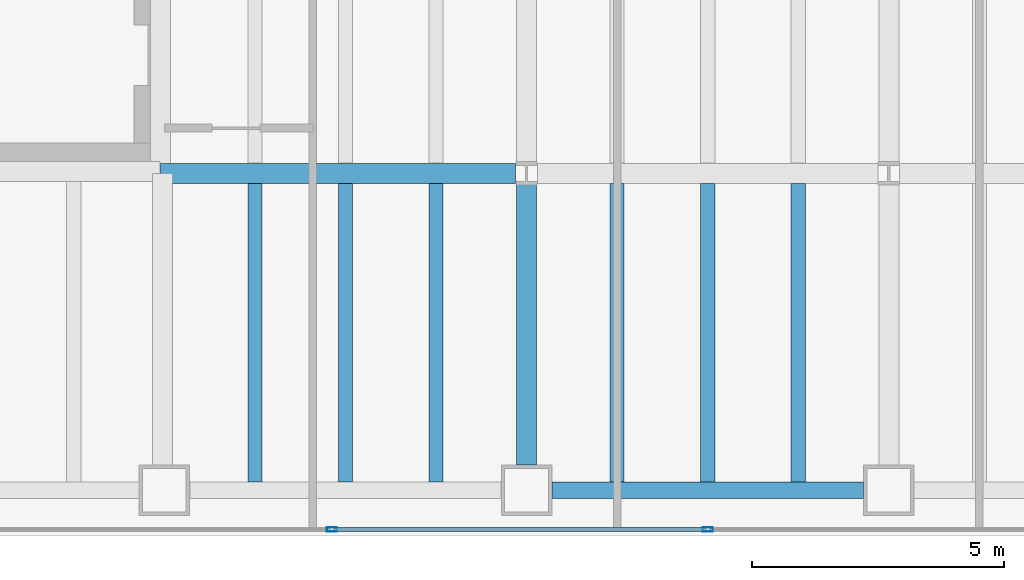
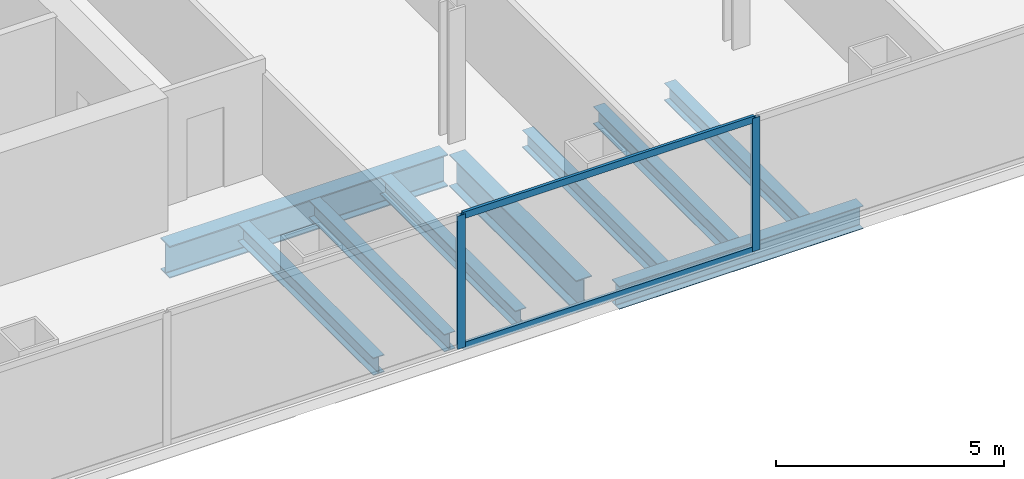
# One storey, part 4 of 23: 9 beams, 4 members, 1 element without a shape of its own.
"""IFC4 building model written with IfcOpenShell, lengths in metres."""

from ifc_helpers import new_model, si_unit, direction, frame, origin, origin_2d, place, context, subcontext, project, spatial, hollow_rectangle, i_section, extrude, material, material_profile, profile_set, type_object, element, aggregate, save


model = new_model("IFC4")

# Units and contexts
model_context = context("Model", 3, precision=1e-05, world=origin(), true_north=direction((0.0, 1.0)))
body_context = subcontext(model_context, "Body", "Model", "MODEL_VIEW")
ifc_project = project(units=[si_unit("LENGTHUNIT", "METRE"), si_unit("AREAUNIT", "SQUARE_METRE"), si_unit("VOLUMEUNIT", "CUBIC_METRE"), si_unit("PLANEANGLEUNIT", "RADIAN"), si_unit("MASSUNIT", "GRAM", prefix="KILO")], contexts=[model_context])

# Site, building, storey
site_placement = place(None, origin())
site = spatial("IfcSite", under=ifc_project, at=site_placement, CompositionType="ELEMENT")
building_placement = place(site_placement, origin())
building = spatial("IfcBuilding", under=site, at=building_placement, Name="Cobrela Telecom Tower", CompositionType="ELEMENT")
storey_placement = place(building_placement, frame((0.0, 0.0, 50.39990234375)))
storey = spatial("IfcBuildingStorey", under=building, at=storey_placement, Name="L12", CompositionType="ELEMENT", Elevation=50.39990234375)

# Beams
ifc_material_1 = material(Name="Steel ASTM A992 Grade 50", Category="steel")
ifc_material_profile_1 = material_profile(ifc_material_1, i_section(OverallWidth=0.39892578125, OverallDepth=0.85595703125, WebThickness=0.018310546875, FlangeThickness=0.029296875, FilletRadius=0.02001953125, at=origin_2d()), Name="W33X201")
ifc_profile_set_1 = profile_set([ifc_material_profile_1], Name="Steel ASTM A992 Grade 50")
beam_type_1 = type_object("IfcBeamType", Name="BM-GIRD-03", PredefinedType="USERDEFINED", material=ifc_profile_set_1)
beam_1_placement = place(storey_placement, frame((14.324951171875, 7.199951171875, -0.7080078125), z_axis=(1.0, 0.0, 0.0), x_axis=(0.0, 1.0, 0.0)))
element("IfcBeam", 1, at=beam_1_placement, inside=storey, type_object=beam_type_1, Name="L12 Primary Girder X08", ObjectType="GIRDER", PredefinedType="USERDEFINED", context=body_context, shape_type="SweptSolid", body=[
    extrude(i_section(OverallWidth=0.39892578125, OverallDepth=0.85595703125, WebThickness=0.018310546875, FlangeThickness=0.029296875, FilletRadius=0.02001953125, at=origin_2d()), origin(), (0.0, 0.0, 1.0), 7.05908203125),
])
beam_2_placement = place(storey_placement, frame((21.60009765625, 1.405029296875, -0.7080078125), z_axis=(0.0, 1.0, 0.0), x_axis=(-1.0, 0.0, 0.0)))
element("IfcBeam", 2, at=beam_2_placement, inside=storey, type_object=beam_type_1, Name="L12 Primary Girder Y40", ObjectType="GIRDER", PredefinedType="USERDEFINED", context=body_context, shape_type="SweptSolid", body=[
    extrude(i_section(OverallWidth=0.39892578125, OverallDepth=0.85595703125, WebThickness=0.018310546875, FlangeThickness=0.029296875, FilletRadius=0.02001953125, at=origin_2d()), origin(), (0.0, 0.0, 1.0), 5.578857421875),
])
ifc_material_profile_2 = material_profile(ifc_material_1, i_section(OverallWidth=0.281982421875, OverallDepth=0.467041015625, WebThickness=0.01220703125, FlangeThickness=0.01953125, FilletRadius=0.012939453125, at=origin_2d()), Name="W18X86")
ifc_profile_set_2 = profile_set([ifc_material_profile_2], Name="Steel ASTM A992 Grade 50")
beam_type_2 = type_object("IfcBeamType", Name="BM-JOIST-02", PredefinedType="JOIST", material=ifc_profile_set_2)
for number, where, z_axis, x_axis, name in (
    (3, (16.199951171875, 1.0673828125, -0.513427734375), (0.0, 1.0, 0.0), (-1.0, 0.0, 0.0), "L12 Secondary Composite Floor Beam J07"),
    (4, (18.0, 1.0673828125, -0.513427734375), (0.0, 1.0, 0.0), (-1.0, 0.0, 0.0), "L12 Secondary Composite Floor Beam J13"),
    (5, (19.800048828125, 1.0673828125, -0.513427734375), (0.0, 1.0, 0.0), (-1.0, 0.0, 0.0), "L12 Secondary Composite Floor Beam J19"),
    (6, (23.39990234375, 1.0673828125, -0.513427734375), (0.0, 1.0, 0.0), (-1.0, 0.0, 0.0), "L12 Secondary Composite Floor Beam J25"),
    (7, (25.199951171875, 1.0673828125, -0.513427734375), (0.0, 1.0, 0.0), (-1.0, 0.0, 0.0), "L12 Secondary Composite Floor Beam J31"),
    (8, (27.0, 1.0673828125, -0.513427734375), (0.0, 1.0, 0.0), (-1.0, 0.0, 0.0), "L12 Secondary Composite Floor Beam J36"),
):
    element("IfcBeam", number, at=place(storey_placement, frame(where, z_axis=z_axis, x_axis=x_axis)), inside=storey, type_object=beam_type_2, Name=name, PredefinedType="JOIST", context=body_context, shape_type="SweptSolid", body=[
        extrude(i_section(OverallWidth=0.281982421875, OverallDepth=0.467041015625, WebThickness=0.01220703125, FlangeThickness=0.01953125, FilletRadius=0.012939453125, at=origin_2d()), origin(), (0.0, 0.0, 1.0), 5.92822265625),
    ])
ifc_material_profile_3 = material_profile(ifc_material_1, i_section(OverallWidth=0.324951171875, OverallDepth=0.612060546875, WebThickness=0.0126953125, FlangeThickness=0.01904296875, FilletRadius=0.014892578125, at=origin_2d()), Name="W24X104")
ifc_profile_set_3 = profile_set([ifc_material_profile_3], Name="Steel ASTM A992 Grade 50")
beam_type_3 = type_object("IfcBeamType", Name="BM-SPAND-02", PredefinedType="SPANDREL", material=ifc_profile_set_3)
beam_3_placement = place(storey_placement, frame((22.10498046875, 0.89990234375, -0.5859375), z_axis=(1.0, 0.0, 0.0), x_axis=(0.0, 1.0, 0.0)))
element("IfcBeam", 9, at=beam_3_placement, inside=storey, type_object=beam_type_3, Name="L12 Perimeter Spandrel X03", PredefinedType="SPANDREL", context=body_context, shape_type="SweptSolid", body=[
    extrude(i_section(OverallWidth=0.324951171875, OverallDepth=0.612060546875, WebThickness=0.0126953125, FlangeThickness=0.01904296875, FilletRadius=0.014892578125, at=origin_2d()), origin(), (0.0, 0.0, 1.0), 6.18994140625),
])

# Curtain wall, members
ifc_material_2 = material(Name="Anodized Bronze Aluminium 6063-T6", Category="aluminium")
curtain_wall_type = type_object("IfcCurtainWallType", Name="CW-SYS-DATA", PredefinedType="USERDEFINED", material=ifc_material_2)
curtain_wall_placement = place(storey_placement, origin())
curtain_wall = element("IfcCurtainWall", 10, at=curtain_wall_placement, inside=storey, type_object=curtain_wall_type, Name="L12 Unitised Bronze Curtain Wall 17", ObjectType="UNITISED CURTAIN WALL", PredefinedType="USERDEFINED")
ifc_material_profile_4 = material_profile(ifc_material_2, hollow_rectangle(XDim=0.080078125, YDim=0.199951171875, WallThickness=0.00390625, at=origin_2d()), Name="ALU 80x200x4")
ifc_profile_set_4 = profile_set([ifc_material_profile_4], Name="Anodized Bronze Aluminium 6063-T6")
member_type_1 = type_object("IfcMemberType", Name="CW-SYS-DATA-MUL", PredefinedType="MULLION", material=ifc_profile_set_4)
member_1_placement = place(storey_placement, frame((25.199951171875, 0.1201171875, 0.0), z_axis=(0.0, 0.0, 1.0), x_axis=(0.0, -1.0, 0.0)))
member_1 = element("IfcMember", 11, at=member_1_placement, type_object=member_type_1, Name="CW-DATA mullion 4", PredefinedType="MULLION", context=body_context, shape_type="SweptSolid", body=[
    extrude(hollow_rectangle(XDim=0.080078125, YDim=0.199951171875, WallThickness=0.00390625, at=origin_2d()), origin(), (0.0, 0.0, 1.0), 3.570068359375),
])
member_2_placement = place(storey_placement, frame((17.72998046875, 0.1201171875, 0.0), z_axis=(0.0, 0.0, 1.0), x_axis=(0.0, -1.0, 0.0)))
member_2 = element("IfcMember", 12, at=member_2_placement, type_object=member_type_1, Name="CW-DATA mullion 5", PredefinedType="MULLION", context=body_context, shape_type="SweptSolid", body=[
    extrude(hollow_rectangle(XDim=0.080078125, YDim=0.199951171875, WallThickness=0.00390625, at=origin_2d()), origin(), (0.0, 0.0, 1.0), 3.570068359375),
])
ifc_material_profile_5 = material_profile(ifc_material_2, hollow_rectangle(XDim=0.074951171875, YDim=0.179931640625, WallThickness=0.00390625, at=origin_2d()), Name="ALU 75x180x4")
ifc_profile_set_5 = profile_set([ifc_material_profile_5], Name="Anodized Bronze Aluminium 6063-T6")
member_type_2 = type_object("IfcMemberType", Name="CW-SYS-DATA-TRN", PredefinedType="USERDEFINED", material=ifc_profile_set_5)
member_3_placement = place(storey_placement, frame((25.159912109375, 0.1201171875, 0.03759765625), z_axis=(-1.0, 0.0, 0.0), x_axis=(0.0, -1.0, 0.0)))
member_3 = element("IfcMember", 13, at=member_3_placement, type_object=member_type_2, Name="CW-DATA transom 4.1", ObjectType="TRANSOM", PredefinedType="USERDEFINED", context=body_context, shape_type="SweptSolid", body=[
    extrude(hollow_rectangle(XDim=0.074951171875, YDim=0.179931640625, WallThickness=0.00390625, at=origin_2d()), origin(), (0.0, 0.0, 1.0), 7.389892578125),
])
member_4_placement = place(storey_placement, frame((25.159912109375, 0.1201171875, 3.53271484375), z_axis=(-1.0, 0.0, 0.0), x_axis=(0.0, -1.0, 0.0)))
member_4 = element("IfcMember", 14, at=member_4_placement, type_object=member_type_2, Name="CW-DATA transom 4.2", ObjectType="TRANSOM", PredefinedType="USERDEFINED", context=body_context, shape_type="SweptSolid", body=[
    extrude(hollow_rectangle(XDim=0.074951171875, YDim=0.179931640625, WallThickness=0.00390625, at=origin_2d()), origin(), (0.0, 0.0, 1.0), 7.389892578125),
])
aggregate(curtain_wall, [member_1, member_2, member_3, member_4])

save(model, "model.ifc")
